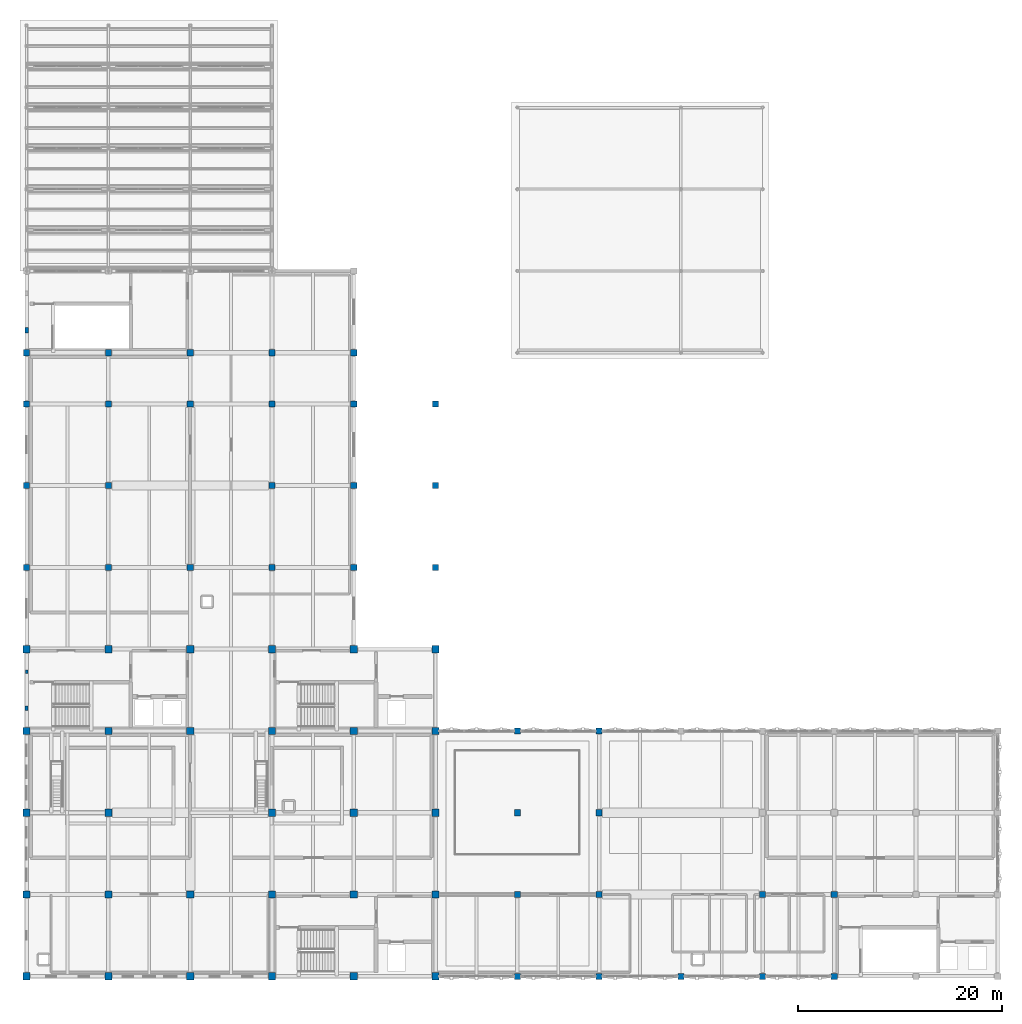
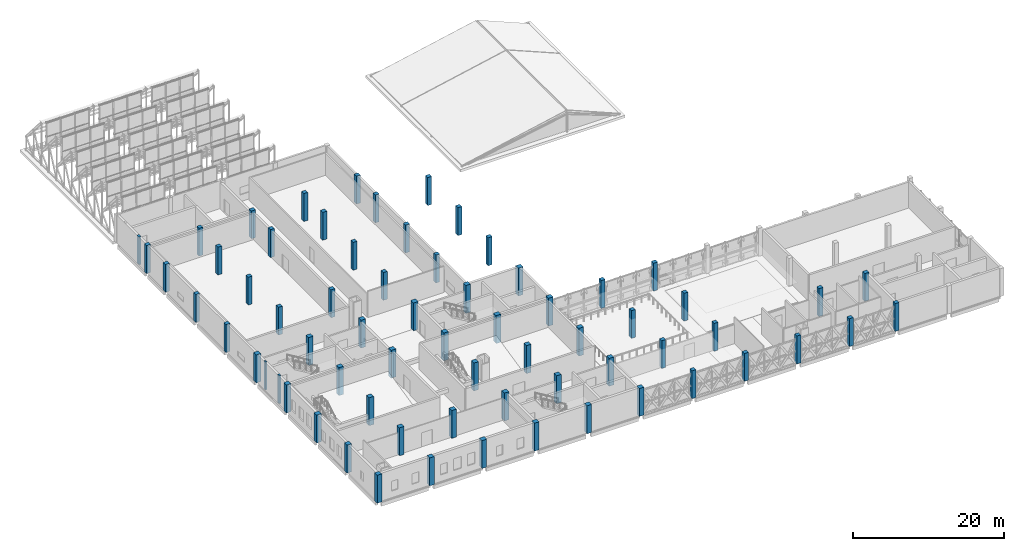
# One storey, part 1 of 43: 67 columns.
"""IFC4 building model written with IfcOpenShell, lengths in metres."""

from ifc_helpers import new_model, si_unit, direction, frame, origin, origin_2d, place, context, subcontext, project, spatial, rectangle, extrude, material, material_profile, profile_set, type_object, element, save


model = new_model("IFC4")

# Units and contexts
model_context = context("Model", 3, precision=1e-05, world=origin(), true_north=direction((0.0, 1.0)))
body_context = subcontext(model_context, "Body", "Model", "MODEL_VIEW")
ifc_project = project(units=[si_unit("LENGTHUNIT", "METRE"), si_unit("AREAUNIT", "SQUARE_METRE"), si_unit("VOLUMEUNIT", "CUBIC_METRE"), si_unit("PLANEANGLEUNIT", "RADIAN"), si_unit("MASSUNIT", "GRAM", prefix="KILO")], contexts=[model_context])

# Site, building, storey
site_placement = place(None, origin())
site = spatial("IfcSite", under=ifc_project, at=site_placement, CompositionType="ELEMENT")
building_placement = place(site_placement, origin())
building = spatial("IfcBuilding", under=site, at=building_placement, Name="Qorikala Patio Media Centre", CompositionType="ELEMENT")
storey_placement = place(building_placement, frame((0.0, 0.0, 18.89990234375)))
storey = spatial("IfcBuildingStorey", under=building, at=storey_placement, Name="L04", CompositionType="ELEMENT", Elevation=18.89990234375)

# Columns
ifc_material_1 = material(Name="Comanche Granite and Concrete C35/45", Category="masonry")
ifc_material_profile_1 = material_profile(ifc_material_1, rectangle(XDim=0.3798828125, YDim=0.239990234375, at=origin_2d()), Name="PIL 380x240")
ifc_profile_set_1 = profile_set([ifc_material_profile_1], Name="Comanche Granite and Concrete C35/45")
column_type_1 = type_object("IfcColumnType", Name="PIL-380X240", PredefinedType="PILASTER", material=ifc_profile_set_1)
column_1_placement = place(storey_placement, frame((3.0, 32.800048828125, 0.0), z_axis=(0.0, 0.0, 1.0), x_axis=(0.0, 1.0, 0.0)))
element("IfcColumn", 1, at=column_1_placement, inside=storey, type_object=column_type_1, Name="L04 West Street Core Pilaster 014", PredefinedType="PILASTER", context=body_context, shape_type="SweptSolid", body=[
    extrude(rectangle(XDim=0.3798828125, YDim=0.239990234375, at=origin_2d()), origin(), (0.0, 0.0, 1.0), 4.5),
])
ifc_material_profile_2 = material_profile(ifc_material_1, rectangle(XDim=0.43994140625, YDim=0.280029296875, at=origin_2d()), Name="PIL 440x280")
ifc_profile_set_2 = profile_set([ifc_material_profile_2], Name="Comanche Granite and Concrete C35/45")
column_type_2 = type_object("IfcColumnType", Name="PIL-440X280", PredefinedType="PILASTER", material=ifc_profile_set_2)
column_2_placement = place(storey_placement, frame((3.0, 29.199951171875, 0.0), z_axis=(0.0, 0.0, 1.0), x_axis=(0.0, 1.0, 0.0)))
element("IfcColumn", 2, at=column_2_placement, inside=storey, type_object=column_type_2, Name="L04 West Street Core Pilaster 013", PredefinedType="PILASTER", context=body_context, shape_type="SweptSolid", body=[
    extrude(rectangle(XDim=0.43994140625, YDim=0.280029296875, at=origin_2d()), origin(), (0.0, 0.0, 1.0), 4.5),
])
ifc_material_profile_3 = material_profile(ifc_material_1, rectangle(XDim=0.52001953125, YDim=0.320068359375, at=origin_2d()), Name="PIL 520x320")
ifc_profile_set_3 = profile_set([ifc_material_profile_3], Name="Comanche Granite and Concrete C35/45")
column_type_3 = type_object("IfcColumnType", Name="PIL-520X320", PredefinedType="PILASTER", material=ifc_profile_set_3)
column_3_placement = place(storey_placement, frame((3.0, 66.199951171875, 0.0), z_axis=(0.0, 0.0, 1.0), x_axis=(0.0, 1.0, 0.0)))
element("IfcColumn", 3, at=column_3_placement, inside=storey, type_object=column_type_3, Name="L04 West Street Core Pilaster 015", PredefinedType="PILASTER", context=body_context, shape_type="SweptSolid", body=[
    extrude(rectangle(XDim=0.52001953125, YDim=0.320068359375, at=origin_2d()), origin(), (0.0, 0.0, 1.0), 4.5),
])
ifc_material_2 = material(Name="Concrete C35/45", Category="concrete")
ifc_material_profile_4 = material_profile(ifc_material_2, rectangle(XDim=0.60009765625, YDim=0.60009765625, at=origin_2d()), Name="RC 600x600")
ifc_profile_set_4 = profile_set([ifc_material_profile_4], Name="Concrete C35/45")
column_type_4 = type_object("IfcColumnType", Name="RC-COL-600-EXT", PredefinedType="COLUMN", material=ifc_profile_set_4)
for number, where, z_axis, x_axis, name in (
    (4, (3.0, 43.0, 0.0), (0.0, 0.0, 1.0), (1.0, 0.0, 0.0), "L04 Column (3,43)"),
    (5, (3.0, 51.0, 0.0), (0.0, 0.0, 1.0), (1.0, 0.0, 0.0), "L04 Column (3,51)"),
    (6, (3.0, 59.0, 0.0), (0.0, 0.0, 1.0), (1.0, 0.0, 0.0), "L04 Column (3,59)"),
    (7, (3.0, 64.0, 0.0), (0.0, 0.0, 1.0), (1.0, 0.0, 0.0), "L04 Column (3,64)"),
    (8, (35.0, 43.0, 0.0), (0.0, 0.0, 1.0), (1.0, 0.0, 0.0), "L04 Column (35,43)"),
    (9, (35.0, 51.0, 0.0), (0.0, 0.0, 1.0), (1.0, 0.0, 0.0), "L04 Column (35,51)"),
    (10, (35.0, 59.0, 0.0), (0.0, 0.0, 1.0), (1.0, 0.0, 0.0), "L04 Column (35,59)"),
    (11, (35.0, 64.0, 0.0), (0.0, 0.0, 1.0), (1.0, 0.0, 0.0), "L04 Column (35,64)"),
    (12, (43.0, 43.0, 0.0), (0.0, 0.0, 1.0), (1.0, 0.0, 0.0), "L04 Column (43,43)"),
    (13, (43.0, 51.0, 0.0), (0.0, 0.0, 1.0), (1.0, 0.0, 0.0), "L04 Column (43,51)"),
    (14, (43.0, 59.0, 0.0), (0.0, 0.0, 1.0), (1.0, 0.0, 0.0), "L04 Column (43,59)"),
    (15, (51.0, 3.0, 0.0), (0.0, 0.0, 1.0), (1.0, 0.0, 0.0), "L04 Column (51,3)"),
    (16, (51.0, 27.0, 0.0), (0.0, 0.0, 1.0), (1.0, 0.0, 0.0), "L04 Column (51,27)"),
    (17, (59.0, 3.0, 0.0), (0.0, 0.0, 1.0), (1.0, 0.0, 0.0), "L04 Column (59,3)"),
    (18, (59.0, 27.0, 0.0), (0.0, 0.0, 1.0), (1.0, 0.0, 0.0), "L04 Column (59,27)"),
    (19, (67.0, 3.0, 0.0), (0.0, 0.0, 1.0), (1.0, 0.0, 0.0), "L04 Column (67,3)"),
    (20, (75.0, 3.0, 0.0), (0.0, 0.0, 1.0), (1.0, 0.0, 0.0), "L04 Column (75,3)"),
    (21, (82.0, 3.0, 0.0), (0.0, 0.0, 1.0), (1.0, 0.0, 0.0), "L04 Column (82,3)"),
):
    element("IfcColumn", number, at=place(storey_placement, frame(where, z_axis=z_axis, x_axis=x_axis)), inside=storey, type_object=column_type_4, Name=name, PredefinedType="COLUMN", context=body_context, shape_type="SweptSolid", body=[
        extrude(rectangle(XDim=0.60009765625, YDim=0.60009765625, at=origin_2d()), origin(), (0.0, 0.0, 1.0), 4.5),
    ])
ifc_material_profile_5 = material_profile(ifc_material_2, rectangle(XDim=0.60009765625, YDim=0.60009765625, at=origin_2d()), Name="RC 600x600")
ifc_profile_set_5 = profile_set([ifc_material_profile_5], Name="Concrete C35/45")
column_type_5 = type_object("IfcColumnType", Name="RC-COL-600-INT", PredefinedType="COLUMN", material=ifc_profile_set_5)
for number, where, z_axis, x_axis, name in (
    (22, (11.0, 43.0, 0.0), (0.0, 0.0, 1.0), (1.0, 0.0, 0.0), "L04 Column (11,43)"),
    (23, (11.0, 51.0, 0.0), (0.0, 0.0, 1.0), (1.0, 0.0, 0.0), "L04 Column (11,51)"),
    (24, (11.0, 59.0, 0.0), (0.0, 0.0, 1.0), (1.0, 0.0, 0.0), "L04 Column (11,59)"),
    (25, (11.0, 64.0, 0.0), (0.0, 0.0, 1.0), (1.0, 0.0, 0.0), "L04 Column (11,64)"),
    (26, (19.0, 43.0, 0.0), (0.0, 0.0, 1.0), (1.0, 0.0, 0.0), "L04 Column (19,43)"),
    (27, (19.0, 59.0, 0.0), (0.0, 0.0, 1.0), (1.0, 0.0, 0.0), "L04 Column (19,59)"),
    (28, (19.0, 64.0, 0.0), (0.0, 0.0, 1.0), (1.0, 0.0, 0.0), "L04 Column (19,64)"),
    (29, (27.0, 43.0, 0.0), (0.0, 0.0, 1.0), (1.0, 0.0, 0.0), "L04 Column (27,43)"),
    (30, (27.0, 51.0, 0.0), (0.0, 0.0, 1.0), (1.0, 0.0, 0.0), "L04 Column (27,51)"),
    (31, (27.0, 59.0, 0.0), (0.0, 0.0, 1.0), (1.0, 0.0, 0.0), "L04 Column (27,59)"),
    (32, (27.0, 64.0, 0.0), (0.0, 0.0, 1.0), (1.0, 0.0, 0.0), "L04 Column (27,64)"),
    (33, (51.0, 11.0, 0.0), (0.0, 0.0, 1.0), (1.0, 0.0, 0.0), "L04 Column (51,11)"),
    (34, (51.0, 19.0, 0.0), (0.0, 0.0, 1.0), (1.0, 0.0, 0.0), "L04 Column (51,19)"),
    (35, (59.0, 11.0, 0.0), (0.0, 0.0, 1.0), (1.0, 0.0, 0.0), "L04 Column (59,11)"),
    (36, (59.0, 19.0, 0.0), (0.0, 0.0, 1.0), (1.0, 0.0, 0.0), "L04 Column (59,19)"),
    (37, (75.0, 11.0, 0.0), (0.0, 0.0, 1.0), (1.0, 0.0, 0.0), "L04 Column (75,11)"),
    (38, (82.0, 11.0, 0.0), (0.0, 0.0, 1.0), (1.0, 0.0, 0.0), "L04 Column (82,11)"),
):
    element("IfcColumn", number, at=place(storey_placement, frame(where, z_axis=z_axis, x_axis=x_axis)), inside=storey, type_object=column_type_5, Name=name, PredefinedType="COLUMN", context=body_context, shape_type="SweptSolid", body=[
        extrude(rectangle(XDim=0.60009765625, YDim=0.60009765625, at=origin_2d()), origin(), (0.0, 0.0, 1.0), 4.5),
    ])
ifc_material_profile_6 = material_profile(ifc_material_2, rectangle(XDim=0.699951171875, YDim=0.699951171875, at=origin_2d()), Name="RC 700x700")
ifc_profile_set_6 = profile_set([ifc_material_profile_6], Name="Concrete C35/45")
column_type_6 = type_object("IfcColumnType", Name="RC-COL-700-EXT", PredefinedType="COLUMN", material=ifc_profile_set_6)
for number, where, z_axis, x_axis, name in (
    (39, (3.0, 3.0, 0.0), (0.0, 0.0, 1.0), (1.0, 0.0, 0.0), "L04 Column (3,3)"),
    (40, (3.0, 11.0, 0.0), (0.0, 0.0, 1.0), (1.0, 0.0, 0.0), "L04 Column (3,11)"),
    (41, (3.0, 19.0, 0.0), (0.0, 0.0, 1.0), (1.0, 0.0, 0.0), "L04 Column (3,19)"),
    (42, (3.0, 27.0, 0.0), (0.0, 0.0, 1.0), (1.0, 0.0, 0.0), "L04 Column (3,27)"),
    (43, (3.0, 35.0, 0.0), (0.0, 0.0, 1.0), (1.0, 0.0, 0.0), "L04 Column (3,35)"),
    (44, (11.0, 3.0, 0.0), (0.0, 0.0, 1.0), (1.0, 0.0, 0.0), "L04 Column (11,3)"),
    (45, (19.0, 3.0, 0.0), (0.0, 0.0, 1.0), (1.0, 0.0, 0.0), "L04 Column (19,3)"),
    (46, (27.0, 3.0, 0.0), (0.0, 0.0, 1.0), (1.0, 0.0, 0.0), "L04 Column (27,3)"),
    (47, (35.0, 3.0, 0.0), (0.0, 0.0, 1.0), (1.0, 0.0, 0.0), "L04 Column (35,3)"),
    (48, (35.0, 35.0, 0.0), (0.0, 0.0, 1.0), (1.0, 0.0, 0.0), "L04 Column (35,35)"),
    (49, (43.0, 3.0, 0.0), (0.0, 0.0, 1.0), (1.0, 0.0, 0.0), "L04 Column (43,3)"),
    (50, (43.0, 27.0, 0.0), (0.0, 0.0, 1.0), (1.0, 0.0, 0.0), "L04 Column (43,27)"),
    (51, (43.0, 35.0, 0.0), (0.0, 0.0, 1.0), (1.0, 0.0, 0.0), "L04 Column (43,35)"),
):
    element("IfcColumn", number, at=place(storey_placement, frame(where, z_axis=z_axis, x_axis=x_axis)), inside=storey, type_object=column_type_6, Name=name, PredefinedType="COLUMN", context=body_context, shape_type="SweptSolid", body=[
        extrude(rectangle(XDim=0.699951171875, YDim=0.699951171875, at=origin_2d()), origin(), (0.0, 0.0, 1.0), 4.5),
    ])
ifc_material_profile_7 = material_profile(ifc_material_2, rectangle(XDim=0.699951171875, YDim=0.699951171875, at=origin_2d()), Name="RC 700x700")
ifc_profile_set_7 = profile_set([ifc_material_profile_7], Name="Concrete C35/45")
column_type_7 = type_object("IfcColumnType", Name="RC-COL-700-INT", PredefinedType="COLUMN", material=ifc_profile_set_7)
for number, where, z_axis, x_axis, name in (
    (52, (11.0, 11.0, 0.0), (0.0, 0.0, 1.0), (1.0, 0.0, 0.0), "L04 Column (11,11)"),
    (53, (11.0, 19.0, 0.0), (0.0, 0.0, 1.0), (1.0, 0.0, 0.0), "L04 Column (11,19)"),
    (54, (11.0, 27.0, 0.0), (0.0, 0.0, 1.0), (1.0, 0.0, 0.0), "L04 Column (11,27)"),
    (55, (11.0, 35.0, 0.0), (0.0, 0.0, 1.0), (1.0, 0.0, 0.0), "L04 Column (11,35)"),
    (56, (19.0, 11.0, 0.0), (0.0, 0.0, 1.0), (1.0, 0.0, 0.0), "L04 Column (19,11)"),
    (57, (19.0, 27.0, 0.0), (0.0, 0.0, 1.0), (1.0, 0.0, 0.0), "L04 Column (19,27)"),
    (58, (19.0, 35.0, 0.0), (0.0, 0.0, 1.0), (1.0, 0.0, 0.0), "L04 Column (19,35)"),
    (59, (27.0, 11.0, 0.0), (0.0, 0.0, 1.0), (1.0, 0.0, 0.0), "L04 Column (27,11)"),
    (60, (27.0, 19.0, 0.0), (0.0, 0.0, 1.0), (1.0, 0.0, 0.0), "L04 Column (27,19)"),
    (61, (27.0, 27.0, 0.0), (0.0, 0.0, 1.0), (1.0, 0.0, 0.0), "L04 Column (27,27)"),
    (62, (27.0, 35.0, 0.0), (0.0, 0.0, 1.0), (1.0, 0.0, 0.0), "L04 Column (27,35)"),
    (63, (35.0, 11.0, 0.0), (0.0, 0.0, 1.0), (1.0, 0.0, 0.0), "L04 Column (35,11)"),
    (64, (35.0, 19.0, 0.0), (0.0, 0.0, 1.0), (1.0, 0.0, 0.0), "L04 Column (35,19)"),
    (65, (35.0, 27.0, 0.0), (0.0, 0.0, 1.0), (1.0, 0.0, 0.0), "L04 Column (35,27)"),
    (66, (43.0, 11.0, 0.0), (0.0, 0.0, 1.0), (1.0, 0.0, 0.0), "L04 Column (43,11)"),
    (67, (43.0, 19.0, 0.0), (0.0, 0.0, 1.0), (1.0, 0.0, 0.0), "L04 Column (43,19)"),
):
    element("IfcColumn", number, at=place(storey_placement, frame(where, z_axis=z_axis, x_axis=x_axis)), inside=storey, type_object=column_type_7, Name=name, PredefinedType="COLUMN", context=body_context, shape_type="SweptSolid", body=[
        extrude(rectangle(XDim=0.699951171875, YDim=0.699951171875, at=origin_2d()), origin(), (0.0, 0.0, 1.0), 4.5),
    ])

save(model, "model.ifc")
